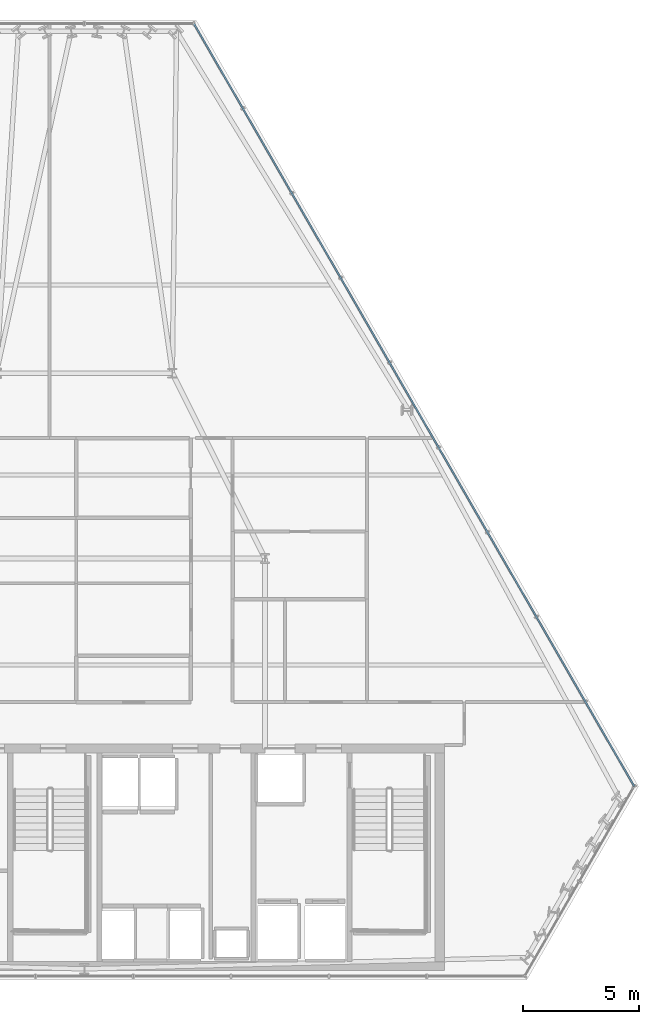
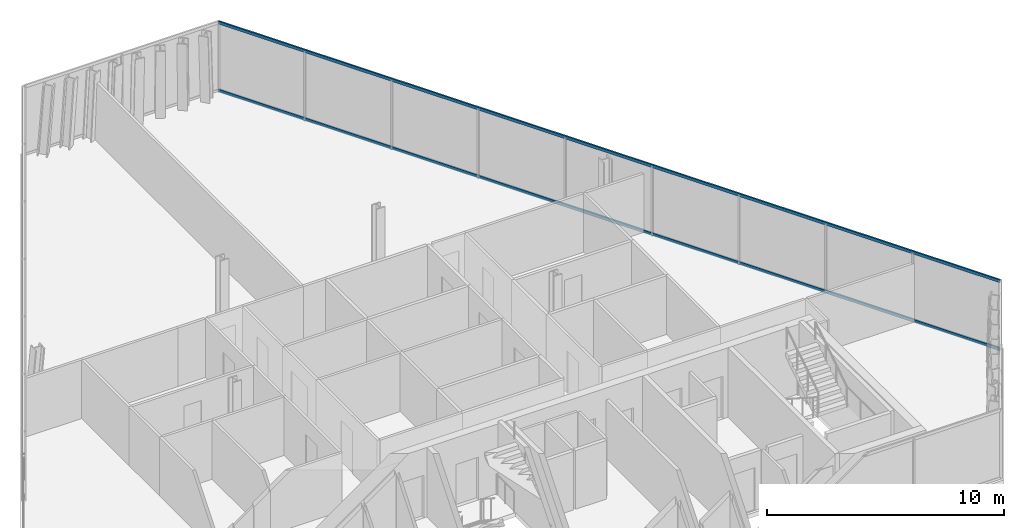
# One storey, part 18 of 33: 2 members, 1 element without a shape of its own.
"""IFC4 building model written with IfcOpenShell, lengths in metres."""

from ifc_helpers import new_model, si_unit, direction, frame, origin, origin_2d, place, context, subcontext, project, spatial, hollow_rectangle, extrude, material, layer, layer_set, material_profile, profile_set, type_object, element, aggregate, save


model = new_model("IFC4")

# Units and contexts
model_context = context("Model", 3, precision=1e-05, world=origin(), true_north=direction((0.0, 1.0)))
body_context = subcontext(model_context, "Body", "Model", "MODEL_VIEW")
ifc_project = project(units=[si_unit("LENGTHUNIT", "METRE"), si_unit("AREAUNIT", "SQUARE_METRE"), si_unit("VOLUMEUNIT", "CUBIC_METRE"), si_unit("PLANEANGLEUNIT", "RADIAN"), si_unit("MASSUNIT", "GRAM", prefix="KILO")], contexts=[model_context])

# Site, building, storey
site_placement = place(None, origin())
site = spatial("IfcSite", under=ifc_project, at=site_placement, CompositionType="ELEMENT")
building_placement = place(site_placement, origin())
building = spatial("IfcBuilding", under=site, at=building_placement, Name="Ndaravel Arena Tower", CompositionType="ELEMENT")
storey_placement = place(building_placement, frame((0.0, 0.0, 187.800048828125)))
storey = spatial("IfcBuildingStorey", under=building, at=storey_placement, Name="L45", CompositionType="ELEMENT", Elevation=187.800048828125)

# Curtain wall, members
ifc_material_1 = material(Name="Aluminium", Category="aluminium")
ifc_layer = layer(ifc_material_1, 0.179931640625)
ifc_layer_set = layer_set([ifc_layer], Name="Aluminium")
curtain_wall_type = type_object("IfcCurtainWallType", Name="CW-SYS-03", PredefinedType="NOTDEFINED", material=ifc_layer_set)
curtain_wall_placement = place(storey_placement, origin())
curtain_wall = element("IfcCurtainWall", 1, at=curtain_wall_placement, inside=storey, type_object=curtain_wall_type, Name="L45 Faceted Crystal Curtain Wall CW-L45-E03", PredefinedType="NOTDEFINED")
ifc_material_2 = material(Name="Aluminium", Category="aluminium")
ifc_material_profile = material_profile(ifc_material_2, hollow_rectangle(XDim=0.074951171875, YDim=0.14990234375, WallThickness=0.00390625, at=origin_2d()), Name="CW TRANSOM 75x150x4")
ifc_profile_set = profile_set([ifc_material_profile], Name="Aluminium")
member_type = type_object("IfcMemberType", Name="MEM-CW-TRN150", PredefinedType="USERDEFINED", material=ifc_profile_set)
member_1_placement = place(storey_placement, frame((65.747802734375, 13.359375, 0.0400390625), z_axis=(-0.499999580071, 0.866025646231, 0.0), x_axis=(-0.866025646231, -0.499999580071, 0.0)))
member_1 = element("IfcMember", 2, at=member_1_placement, type_object=member_type, Name="CW-L45-E03 Transom 01", ObjectType="TRANSOM", PredefinedType="USERDEFINED", context=body_context, shape_type="SweptSolid", body=[
    extrude(hollow_rectangle(XDim=0.074951171875, YDim=0.14990234375, WallThickness=0.00390625, at=origin_2d()), origin(), (0.0, 0.0, 1.0), 38.02783203125),
])
member_2_placement = place(storey_placement, frame((65.747802734375, 13.359375, 3.5400390625), z_axis=(-0.499999580071, 0.866025646231, 0.0), x_axis=(-0.866025646231, -0.499999580071, 0.0)))
member_2 = element("IfcMember", 3, at=member_2_placement, type_object=member_type, Name="CW-L45-E03 Transom 02", ObjectType="TRANSOM", PredefinedType="USERDEFINED", context=body_context, shape_type="SweptSolid", body=[
    extrude(hollow_rectangle(XDim=0.074951171875, YDim=0.14990234375, WallThickness=0.00390625, at=origin_2d()), origin(), (0.0, 0.0, 1.0), 38.02783203125),
])
aggregate(curtain_wall, [member_1, member_2])

save(model, "model.ifc")
